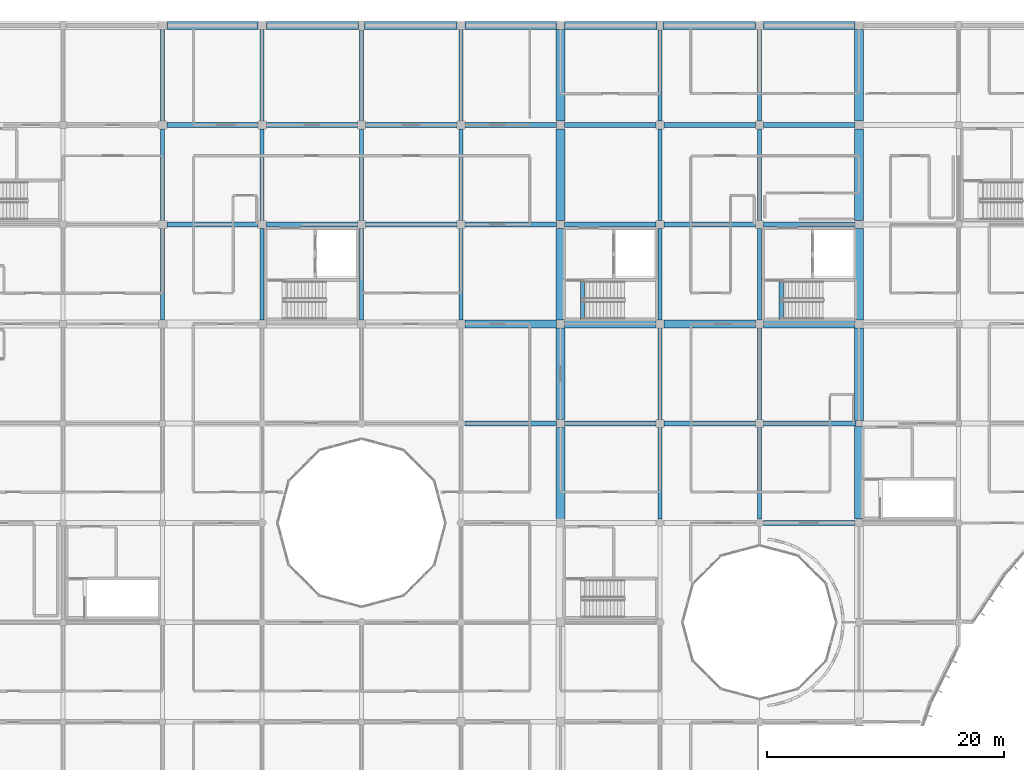
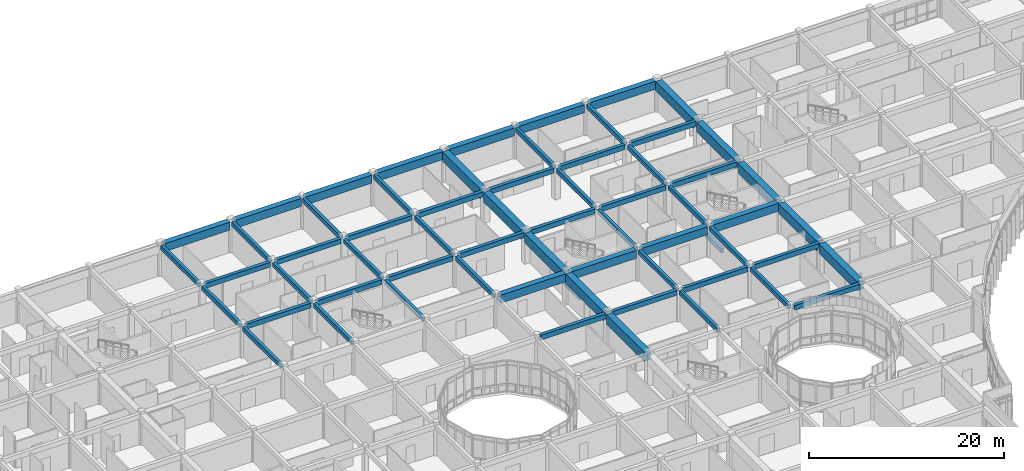
# One storey, part 42 of 119: 64 beams.
"""IFC4 building model written with IfcOpenShell, lengths in metres."""

from ifc_helpers import new_model, si_unit, direction, frame, origin, origin_2d, place, context, subcontext, project, spatial, rectangle, extrude, material, material_profile, profile_set, type_object, element, save


model = new_model("IFC4")

# Units and contexts
model_context = context("Model", 3, precision=1e-05, world=origin(), true_north=direction((0.0, 1.0)))
body_context = subcontext(model_context, "Body", "Model", "MODEL_VIEW")
ifc_project = project(units=[si_unit("LENGTHUNIT", "METRE"), si_unit("AREAUNIT", "SQUARE_METRE"), si_unit("VOLUMEUNIT", "CUBIC_METRE"), si_unit("PLANEANGLEUNIT", "RADIAN"), si_unit("MASSUNIT", "GRAM", prefix="KILO")], contexts=[model_context])

# Site, building, storey
site_placement = place(None, origin())
site = spatial("IfcSite", under=ifc_project, at=site_placement, CompositionType="ELEMENT")
building_placement = place(site_placement, origin())
building = spatial("IfcBuilding", under=site, at=building_placement, Name="Bramfleet General Hospital", CompositionType="ELEMENT")
storey_placement = place(building_placement, frame((0.0, 0.0, 14.39990234375)))
storey = spatial("IfcBuildingStorey", under=building, at=storey_placement, Name="L03", CompositionType="ELEMENT", Elevation=14.39990234375)

# Beams
ifc_material_1 = material(Name="Concrete C35/45", Category="concrete")
ifc_material_profile_1 = material_profile(ifc_material_1, rectangle(XDim=0.35009765625, YDim=0.550048828125, at=origin_2d()), Name="RC BM 550x350")
ifc_profile_set_1 = profile_set([ifc_material_profile_1], Name="Concrete C35/45")
beam_type_1 = type_object("IfcBeamType", Name="BM-RC550", PredefinedType="BEAM", material=ifc_profile_set_1)
beam_1_placement = place(storey_placement, frame((67.199951171875, 92.75, 3.625), z_axis=(0.0, 1.0, 0.0), x_axis=(-1.0, 0.0, 0.0)))
element("IfcBeam", 1, at=beam_1_placement, inside=storey, type_object=beam_type_1, Name="L03 Grid Beam Y 08-11", PredefinedType="BEAM", context=body_context, shape_type="SweptSolid", body=[
    extrude(rectangle(XDim=0.35009765625, YDim=0.550048828125, at=origin_2d()), origin(), (0.0, 0.0, 1.0), 7.699951171875),
])
beam_2_placement = place(storey_placement, frame((67.199951171875, 101.14990234375, 3.625), z_axis=(0.0, 1.0, 0.0), x_axis=(-1.0, 0.0, 0.0)))
element("IfcBeam", 2, at=beam_2_placement, inside=storey, type_object=beam_type_1, Name="L03 Grid Beam Y 08-12", PredefinedType="BEAM", context=body_context, shape_type="SweptSolid", body=[
    extrude(rectangle(XDim=0.35009765625, YDim=0.550048828125, at=origin_2d()), origin(), (0.0, 0.0, 1.0), 7.7001953125),
])
for number, where, z_axis, x_axis, name in (
    (3, (67.199951171875, 109.550048828125, 3.625), (0.0, 1.0, 0.0), (-1.0, 0.0, 0.0), "L03 Grid Beam Y 08-13"),
    (4, (75.60009765625, 92.75, 3.625), (0.0, 1.0, 0.0), (-1.0, 0.0, 0.0), "L03 Grid Beam Y 09-11"),
):
    element("IfcBeam", number, at=place(storey_placement, frame(where, z_axis=z_axis, x_axis=x_axis)), inside=storey, type_object=beam_type_1, Name=name, PredefinedType="BEAM", context=body_context, shape_type="SweptSolid", body=[
        extrude(rectangle(XDim=0.35009765625, YDim=0.550048828125, at=origin_2d()), origin(), (0.0, 0.0, 1.0), 7.699951171875),
    ])
beam_3_placement = place(storey_placement, frame((75.60009765625, 101.14990234375, 3.625), z_axis=(0.0, 1.0, 0.0), x_axis=(-1.0, 0.0, 0.0)))
element("IfcBeam", 5, at=beam_3_placement, inside=storey, type_object=beam_type_1, Name="L03 Grid Beam Y 09-12", PredefinedType="BEAM", context=body_context, shape_type="SweptSolid", body=[
    extrude(rectangle(XDim=0.35009765625, YDim=0.550048828125, at=origin_2d()), origin(), (0.0, 0.0, 1.0), 7.7001953125),
])
for number, where, z_axis, x_axis, name in (
    (6, (75.60009765625, 109.550048828125, 3.625), (0.0, 1.0, 0.0), (-1.0, 0.0, 0.0), "L03 Grid Beam Y 09-13"),
    (7, (84.0, 92.75, 3.625), (0.0, 1.0, 0.0), (-1.0, 0.0, 0.0), "L03 Grid Beam Y 10-11"),
):
    element("IfcBeam", number, at=place(storey_placement, frame(where, z_axis=z_axis, x_axis=x_axis)), inside=storey, type_object=beam_type_1, Name=name, PredefinedType="BEAM", context=body_context, shape_type="SweptSolid", body=[
        extrude(rectangle(XDim=0.35009765625, YDim=0.550048828125, at=origin_2d()), origin(), (0.0, 0.0, 1.0), 7.699951171875),
    ])
beam_4_placement = place(storey_placement, frame((84.0, 101.14990234375, 3.625), z_axis=(0.0, 1.0, 0.0), x_axis=(-1.0, 0.0, 0.0)))
element("IfcBeam", 8, at=beam_4_placement, inside=storey, type_object=beam_type_1, Name="L03 Grid Beam Y 10-12", PredefinedType="BEAM", context=body_context, shape_type="SweptSolid", body=[
    extrude(rectangle(XDim=0.35009765625, YDim=0.550048828125, at=origin_2d()), origin(), (0.0, 0.0, 1.0), 7.7001953125),
])
beam_5_placement = place(storey_placement, frame((84.0, 109.550048828125, 3.625), z_axis=(0.0, 1.0, 0.0), x_axis=(-1.0, 0.0, 0.0)))
element("IfcBeam", 9, at=beam_5_placement, inside=storey, type_object=beam_type_1, Name="L03 Grid Beam Y 10-13", PredefinedType="BEAM", context=body_context, shape_type="SweptSolid", body=[
    extrude(rectangle(XDim=0.35009765625, YDim=0.550048828125, at=origin_2d()), origin(), (0.0, 0.0, 1.0), 7.675048828125),
])
beam_6_placement = place(storey_placement, frame((92.39990234375, 92.75, 3.625), z_axis=(0.0, 1.0, 0.0), x_axis=(-1.0, 0.0, 0.0)))
element("IfcBeam", 10, at=beam_6_placement, inside=storey, type_object=beam_type_1, Name="L03 Grid Beam Y 11-11", PredefinedType="BEAM", context=body_context, shape_type="SweptSolid", body=[
    extrude(rectangle(XDim=0.35009765625, YDim=0.550048828125, at=origin_2d()), origin(), (0.0, 0.0, 1.0), 7.699951171875),
])
beam_7_placement = place(storey_placement, frame((92.39990234375, 101.14990234375, 3.625), z_axis=(0.0, 1.0, 0.0), x_axis=(-1.0, 0.0, 0.0)))
element("IfcBeam", 11, at=beam_7_placement, inside=storey, type_object=beam_type_1, Name="L03 Grid Beam Y 11-12", PredefinedType="BEAM", context=body_context, shape_type="SweptSolid", body=[
    extrude(rectangle(XDim=0.35009765625, YDim=0.550048828125, at=origin_2d()), origin(), (0.0, 0.0, 1.0), 7.7001953125),
])
beam_8_placement = place(storey_placement, frame((92.39990234375, 109.550048828125, 3.625), z_axis=(0.0, 1.0, 0.0), x_axis=(-1.0, 0.0, 0.0)))
element("IfcBeam", 12, at=beam_8_placement, inside=storey, type_object=beam_type_1, Name="L03 Grid Beam Y 11-13", PredefinedType="BEAM", context=body_context, shape_type="SweptSolid", body=[
    extrude(rectangle(XDim=0.35009765625, YDim=0.550048828125, at=origin_2d()), origin(), (0.0, 0.0, 1.0), 7.699951171875),
])
beam_9_placement = place(storey_placement, frame((109.199951171875, 75.925048828125, 3.625), z_axis=(0.0, 1.0, 0.0), x_axis=(-1.0, 0.0, 0.0)))
element("IfcBeam", 13, at=beam_9_placement, inside=storey, type_object=beam_type_1, Name="L03 Grid Beam Y 13-09", PredefinedType="BEAM", context=body_context, shape_type="SweptSolid", body=[
    extrude(rectangle(XDim=0.35009765625, YDim=0.550048828125, at=origin_2d()), origin(), (0.0, 0.0, 1.0), 7.724853515625),
])
for number, where, z_axis, x_axis, name in (
    (14, (109.199951171875, 84.35009765625, 3.625), (0.0, 1.0, 0.0), (-1.0, 0.0, 0.0), "L03 Grid Beam Y 13-10"),
    (15, (109.199951171875, 92.75, 3.625), (0.0, 1.0, 0.0), (-1.0, 0.0, 0.0), "L03 Grid Beam Y 13-11"),
):
    element("IfcBeam", number, at=place(storey_placement, frame(where, z_axis=z_axis, x_axis=x_axis)), inside=storey, type_object=beam_type_1, Name=name, PredefinedType="BEAM", context=body_context, shape_type="SweptSolid", body=[
        extrude(rectangle(XDim=0.35009765625, YDim=0.550048828125, at=origin_2d()), origin(), (0.0, 0.0, 1.0), 7.699951171875),
    ])
beam_10_placement = place(storey_placement, frame((109.199951171875, 101.14990234375, 3.625), z_axis=(0.0, 1.0, 0.0), x_axis=(-1.0, 0.0, 0.0)))
element("IfcBeam", 16, at=beam_10_placement, inside=storey, type_object=beam_type_1, Name="L03 Grid Beam Y 13-12", PredefinedType="BEAM", context=body_context, shape_type="SweptSolid", body=[
    extrude(rectangle(XDim=0.35009765625, YDim=0.550048828125, at=origin_2d()), origin(), (0.0, 0.0, 1.0), 7.7001953125),
])
beam_11_placement = place(storey_placement, frame((109.199951171875, 109.550048828125, 3.625), z_axis=(0.0, 1.0, 0.0), x_axis=(-1.0, 0.0, 0.0)))
element("IfcBeam", 17, at=beam_11_placement, inside=storey, type_object=beam_type_1, Name="L03 Grid Beam Y 13-13", PredefinedType="BEAM", context=body_context, shape_type="SweptSolid", body=[
    extrude(rectangle(XDim=0.35009765625, YDim=0.550048828125, at=origin_2d()), origin(), (0.0, 0.0, 1.0), 7.675048828125),
])
beam_12_placement = place(storey_placement, frame((117.60009765625, 75.925048828125, 3.625), z_axis=(0.0, 1.0, 0.0), x_axis=(-1.0, 0.0, 0.0)))
element("IfcBeam", 18, at=beam_12_placement, inside=storey, type_object=beam_type_1, Name="L03 Grid Beam Y 14-09", PredefinedType="BEAM", context=body_context, shape_type="SweptSolid", body=[
    extrude(rectangle(XDim=0.35009765625, YDim=0.550048828125, at=origin_2d()), origin(), (0.0, 0.0, 1.0), 7.724853515625),
])
for number, where, z_axis, x_axis, name in (
    (19, (117.60009765625, 84.35009765625, 3.625), (0.0, 1.0, 0.0), (-1.0, 0.0, 0.0), "L03 Grid Beam Y 14-10"),
    (20, (117.60009765625, 92.75, 3.625), (0.0, 1.0, 0.0), (-1.0, 0.0, 0.0), "L03 Grid Beam Y 14-11"),
):
    element("IfcBeam", number, at=place(storey_placement, frame(where, z_axis=z_axis, x_axis=x_axis)), inside=storey, type_object=beam_type_1, Name=name, PredefinedType="BEAM", context=body_context, shape_type="SweptSolid", body=[
        extrude(rectangle(XDim=0.35009765625, YDim=0.550048828125, at=origin_2d()), origin(), (0.0, 0.0, 1.0), 7.699951171875),
    ])
beam_13_placement = place(storey_placement, frame((117.60009765625, 101.14990234375, 3.625), z_axis=(0.0, 1.0, 0.0), x_axis=(-1.0, 0.0, 0.0)))
element("IfcBeam", 21, at=beam_13_placement, inside=storey, type_object=beam_type_1, Name="L03 Grid Beam Y 14-12", PredefinedType="BEAM", context=body_context, shape_type="SweptSolid", body=[
    extrude(rectangle(XDim=0.35009765625, YDim=0.550048828125, at=origin_2d()), origin(), (0.0, 0.0, 1.0), 7.7001953125),
])
beam_14_placement = place(storey_placement, frame((117.60009765625, 109.550048828125, 3.625), z_axis=(0.0, 1.0, 0.0), x_axis=(-1.0, 0.0, 0.0)))
element("IfcBeam", 22, at=beam_14_placement, inside=storey, type_object=beam_type_1, Name="L03 Grid Beam Y 14-13", PredefinedType="BEAM", context=body_context, shape_type="SweptSolid", body=[
    extrude(rectangle(XDim=0.35009765625, YDim=0.550048828125, at=origin_2d()), origin(), (0.0, 0.0, 1.0), 7.699951171875),
])
for number, where, z_axis, x_axis, name in (
    (23, (102.639892578125, 92.780029296875, -0.27490234375), (0.0, 1.0, 0.0), (-1.0, 0.0, 0.0), "L03 C4 Stairwell Trimmer Beam"),
    (24, (119.43994140625, 92.780029296875, -0.27490234375), (0.0, 1.0, 0.0), (-1.0, 0.0, 0.0), "L03 C6 Stairwell Trimmer Beam"),
):
    element("IfcBeam", number, at=place(storey_placement, frame(where, z_axis=z_axis, x_axis=x_axis)), inside=storey, type_object=beam_type_1, Name=name, PredefinedType="BEAM", context=body_context, shape_type="SweptSolid", body=[
        extrude(rectangle(XDim=0.35009765625, YDim=0.550048828125, at=origin_2d()), origin(), (0.0, 0.0, 1.0), 3.320068359375),
    ])
ifc_material_profile_2 = material_profile(ifc_material_1, rectangle(XDim=0.39990234375, YDim=0.60009765625, at=origin_2d()), Name="RC BM 600x400")
ifc_profile_set_2 = profile_set([ifc_material_profile_2], Name="Concrete C35/45")
beam_type_2 = type_object("IfcBeamType", Name="BM-RC600", PredefinedType="BEAM", material=ifc_profile_set_2)
for number, where, z_axis, x_axis, name in (
    (25, (67.550048828125, 100.800048828125, 3.60009765625), (1.0, 0.0, 0.0), (0.0, 1.0, 0.0), "L03 Grid Beam X 08-12"),
    (26, (67.550048828125, 109.199951171875, 3.60009765625), (1.0, 0.0, 0.0), (0.0, 1.0, 0.0), "L03 Grid Beam X 08-13"),
    (27, (75.949951171875, 100.800048828125, 3.60009765625), (1.0, 0.0, 0.0), (0.0, 1.0, 0.0), "L03 Grid Beam X 09-12"),
    (28, (75.949951171875, 109.199951171875, 3.60009765625), (1.0, 0.0, 0.0), (0.0, 1.0, 0.0), "L03 Grid Beam X 09-13"),
    (29, (84.35009765625, 100.800048828125, 3.60009765625), (1.0, 0.0, 0.0), (0.0, 1.0, 0.0), "L03 Grid Beam X 10-12"),
    (30, (84.35009765625, 109.199951171875, 3.60009765625), (1.0, 0.0, 0.0), (0.0, 1.0, 0.0), "L03 Grid Beam X 10-13"),
):
    element("IfcBeam", number, at=place(storey_placement, frame(where, z_axis=z_axis, x_axis=x_axis)), inside=storey, type_object=beam_type_2, Name=name, PredefinedType="BEAM", context=body_context, shape_type="SweptSolid", body=[
        extrude(rectangle(XDim=0.39990234375, YDim=0.60009765625, at=origin_2d()), origin(), (0.0, 0.0, 1.0), 7.699951171875),
    ])
beam_15_placement = place(storey_placement, frame((92.72509765625, 84.0, 3.60009765625), z_axis=(1.0, 0.0, 0.0), x_axis=(0.0, 1.0, 0.0)))
element("IfcBeam", 31, at=beam_15_placement, inside=storey, type_object=beam_type_2, Name="L03 Grid Beam X 11-10", PredefinedType="BEAM", context=body_context, shape_type="SweptSolid", body=[
    extrude(rectangle(XDim=0.39990234375, YDim=0.60009765625, at=origin_2d()), origin(), (0.0, 0.0, 1.0), 7.724853515625),
])
for number, where, z_axis, x_axis, name in (
    (32, (92.75, 100.800048828125, 3.60009765625), (1.0, 0.0, 0.0), (0.0, 1.0, 0.0), "L03 Grid Beam X 11-12"),
    (33, (92.75, 109.199951171875, 3.60009765625), (1.0, 0.0, 0.0), (0.0, 1.0, 0.0), "L03 Grid Beam X 11-13"),
):
    element("IfcBeam", number, at=place(storey_placement, frame(where, z_axis=z_axis, x_axis=x_axis)), inside=storey, type_object=beam_type_2, Name=name, PredefinedType="BEAM", context=body_context, shape_type="SweptSolid", body=[
        extrude(rectangle(XDim=0.39990234375, YDim=0.60009765625, at=origin_2d()), origin(), (0.0, 0.0, 1.0), 7.699951171875),
    ])
for number, where, z_axis, x_axis, name in (
    (34, (101.14990234375, 84.0, 3.60009765625), (1.0, 0.0, 0.0), (0.0, 1.0, 0.0), "L03 Grid Beam X 12-10"),
    (35, (101.14990234375, 100.800048828125, 3.60009765625), (1.0, 0.0, 0.0), (0.0, 1.0, 0.0), "L03 Grid Beam X 12-12"),
    (36, (101.14990234375, 109.199951171875, 3.60009765625), (1.0, 0.0, 0.0), (0.0, 1.0, 0.0), "L03 Grid Beam X 12-13"),
):
    element("IfcBeam", number, at=place(storey_placement, frame(where, z_axis=z_axis, x_axis=x_axis)), inside=storey, type_object=beam_type_2, Name=name, PredefinedType="BEAM", context=body_context, shape_type="SweptSolid", body=[
        extrude(rectangle(XDim=0.39990234375, YDim=0.60009765625, at=origin_2d()), origin(), (0.0, 0.0, 1.0), 7.7001953125),
    ])
for number, where, z_axis, x_axis, name in (
    (37, (109.550048828125, 84.0, 3.60009765625), (1.0, 0.0, 0.0), (0.0, 1.0, 0.0), "L03 Grid Beam X 13-10"),
    (38, (109.550048828125, 100.800048828125, 3.60009765625), (1.0, 0.0, 0.0), (0.0, 1.0, 0.0), "L03 Grid Beam X 13-12"),
    (39, (109.550048828125, 109.199951171875, 3.60009765625), (1.0, 0.0, 0.0), (0.0, 1.0, 0.0), "L03 Grid Beam X 13-13"),
):
    element("IfcBeam", number, at=place(storey_placement, frame(where, z_axis=z_axis, x_axis=x_axis)), inside=storey, type_object=beam_type_2, Name=name, PredefinedType="BEAM", context=body_context, shape_type="SweptSolid", body=[
        extrude(rectangle(XDim=0.39990234375, YDim=0.60009765625, at=origin_2d()), origin(), (0.0, 0.0, 1.0), 7.699951171875),
    ])
beam_16_placement = place(storey_placement, frame((117.925048828125, 75.60009765625, 3.60009765625), z_axis=(1.0, 0.0, 0.0), x_axis=(0.0, 1.0, 0.0)))
element("IfcBeam", 40, at=beam_16_placement, inside=storey, type_object=beam_type_2, Name="L03 Grid Beam X 14-09", PredefinedType="BEAM", context=body_context, shape_type="SweptSolid", body=[
    extrude(rectangle(XDim=0.39990234375, YDim=0.60009765625, at=origin_2d()), origin(), (0.0, 0.0, 1.0), 7.75),
])
beam_17_placement = place(storey_placement, frame((117.949951171875, 84.0, 3.60009765625), z_axis=(1.0, 0.0, 0.0), x_axis=(0.0, 1.0, 0.0)))
element("IfcBeam", 41, at=beam_17_placement, inside=storey, type_object=beam_type_2, Name="L03 Grid Beam X 14-10", PredefinedType="BEAM", context=body_context, shape_type="SweptSolid", body=[
    extrude(rectangle(XDim=0.39990234375, YDim=0.60009765625, at=origin_2d()), origin(), (0.0, 0.0, 1.0), 7.800048828125),
])
for number, where, z_axis, x_axis, name in (
    (42, (117.949951171875, 100.800048828125, 3.60009765625), (1.0, 0.0, 0.0), (0.0, 1.0, 0.0), "L03 Grid Beam X 14-12"),
    (43, (117.949951171875, 109.199951171875, 3.60009765625), (1.0, 0.0, 0.0), (0.0, 1.0, 0.0), "L03 Grid Beam X 14-13"),
):
    element("IfcBeam", number, at=place(storey_placement, frame(where, z_axis=z_axis, x_axis=x_axis)), inside=storey, type_object=beam_type_2, Name=name, PredefinedType="BEAM", context=body_context, shape_type="SweptSolid", body=[
        extrude(rectangle(XDim=0.39990234375, YDim=0.60009765625, at=origin_2d()), origin(), (0.0, 0.0, 1.0), 7.699951171875),
    ])
ifc_material_2 = material(Name="Concrete C40/50", Category="concrete")
ifc_material_profile_3 = material_profile(ifc_material_2, rectangle(XDim=0.64990234375, YDim=1.0, at=origin_2d()), Name="RC TG 1000x650")
ifc_profile_set_3 = profile_set([ifc_material_profile_3], Name="Concrete C40/50")
beam_type_3 = type_object("IfcBeamType", Name="BM-TG1000", PredefinedType="BEAM", material=ifc_profile_set_3)
beam_18_placement = place(storey_placement, frame((67.550048828125, 117.60009765625, 3.400146484375), z_axis=(1.0, 0.0, 0.0), x_axis=(0.0, 1.0, 0.0)))
element("IfcBeam", 44, at=beam_18_placement, inside=storey, type_object=beam_type_3, Name="L03 Transfer Girder X 08-14", PredefinedType="BEAM", context=body_context, shape_type="SweptSolid", body=[
    extrude(rectangle(XDim=0.64990234375, YDim=1.0, at=origin_2d()), origin(), (0.0, 0.0, 1.0), 7.699951171875),
])
for number, where, z_axis, x_axis, name in (
    (45, (75.949951171875, 117.60009765625, 3.400146484375), (1.0, 0.0, 0.0), (0.0, 1.0, 0.0), "L03 Transfer Girder X 09-14"),
    (46, (84.25, 117.60009765625, 3.400146484375), (1.0, 0.0, 0.0), (0.0, 1.0, 0.0), "L03 Transfer Girder X 10-14"),
):
    element("IfcBeam", number, at=place(storey_placement, frame(where, z_axis=z_axis, x_axis=x_axis)), inside=storey, type_object=beam_type_3, Name=name, PredefinedType="BEAM", context=body_context, shape_type="SweptSolid", body=[
        extrude(rectangle(XDim=0.64990234375, YDim=1.0, at=origin_2d()), origin(), (0.0, 0.0, 1.0), 7.800048828125),
    ])
for number, where, z_axis, x_axis, name in (
    (47, (92.75, 92.39990234375, 3.400146484375), (1.0, 0.0, 0.0), (0.0, 1.0, 0.0), "L03 Transfer Girder X 11-11"),
    (48, (92.75, 117.60009765625, 3.400146484375), (1.0, 0.0, 0.0), (0.0, 1.0, 0.0), "L03 Transfer Girder X 11-14"),
):
    element("IfcBeam", number, at=place(storey_placement, frame(where, z_axis=z_axis, x_axis=x_axis)), inside=storey, type_object=beam_type_3, Name=name, PredefinedType="BEAM", context=body_context, shape_type="SweptSolid", body=[
        extrude(rectangle(XDim=0.64990234375, YDim=1.0, at=origin_2d()), origin(), (0.0, 0.0, 1.0), 7.699951171875),
    ])
beam_19_placement = place(storey_placement, frame((101.14990234375, 92.39990234375, 3.400146484375), z_axis=(1.0, 0.0, 0.0), x_axis=(0.0, 1.0, 0.0)))
element("IfcBeam", 49, at=beam_19_placement, inside=storey, type_object=beam_type_3, Name="L03 Transfer Girder X 12-11", PredefinedType="BEAM", context=body_context, shape_type="SweptSolid", body=[
    extrude(rectangle(XDim=0.64990234375, YDim=1.0, at=origin_2d()), origin(), (0.0, 0.0, 1.0), 7.7001953125),
])
beam_20_placement = place(storey_placement, frame((101.14990234375, 117.60009765625, 3.400146484375), z_axis=(1.0, 0.0, 0.0), x_axis=(0.0, 1.0, 0.0)))
element("IfcBeam", 50, at=beam_20_placement, inside=storey, type_object=beam_type_3, Name="L03 Transfer Girder X 12-14", PredefinedType="BEAM", context=body_context, shape_type="SweptSolid", body=[
    extrude(rectangle(XDim=0.64990234375, YDim=1.0, at=origin_2d()), origin(), (0.0, 0.0, 1.0), 7.800048828125),
])
beam_21_placement = place(storey_placement, frame((109.550048828125, 92.39990234375, 3.400146484375), z_axis=(1.0, 0.0, 0.0), x_axis=(0.0, 1.0, 0.0)))
element("IfcBeam", 51, at=beam_21_placement, inside=storey, type_object=beam_type_3, Name="L03 Transfer Girder X 13-11", PredefinedType="BEAM", context=body_context, shape_type="SweptSolid", body=[
    extrude(rectangle(XDim=0.64990234375, YDim=1.0, at=origin_2d()), origin(), (0.0, 0.0, 1.0), 7.699951171875),
])
beam_22_placement = place(storey_placement, frame((109.449951171875, 117.60009765625, 3.400146484375), z_axis=(1.0, 0.0, 0.0), x_axis=(0.0, 1.0, 0.0)))
element("IfcBeam", 52, at=beam_22_placement, inside=storey, type_object=beam_type_3, Name="L03 Transfer Girder X 13-14", PredefinedType="BEAM", context=body_context, shape_type="SweptSolid", body=[
    extrude(rectangle(XDim=0.64990234375, YDim=1.0, at=origin_2d()), origin(), (0.0, 0.0, 1.0), 7.800048828125),
])
for number, where, z_axis, x_axis, name in (
    (53, (117.949951171875, 92.39990234375, 3.400146484375), (1.0, 0.0, 0.0), (0.0, 1.0, 0.0), "L03 Transfer Girder X 14-11"),
    (54, (117.949951171875, 117.60009765625, 3.400146484375), (1.0, 0.0, 0.0), (0.0, 1.0, 0.0), "L03 Transfer Girder X 14-14"),
):
    element("IfcBeam", number, at=place(storey_placement, frame(where, z_axis=z_axis, x_axis=x_axis)), inside=storey, type_object=beam_type_3, Name=name, PredefinedType="BEAM", context=body_context, shape_type="SweptSolid", body=[
        extrude(rectangle(XDim=0.64990234375, YDim=1.0, at=origin_2d()), origin(), (0.0, 0.0, 1.0), 7.699951171875),
    ])
ifc_material_profile_4 = material_profile(ifc_material_2, rectangle(XDim=0.75, YDim=1.199951171875, at=origin_2d()), Name="RC TG 1200x750")
ifc_profile_set_4 = profile_set([ifc_material_profile_4], Name="Concrete C40/50")
beam_type_4 = type_object("IfcBeamType", Name="BM-TG1200", PredefinedType="BEAM", material=ifc_profile_set_4)
for number, where, z_axis, x_axis, name in (
    (55, (100.800048828125, 75.949951171875, 3.300048828125), (0.0, 1.0, 0.0), (-1.0, 0.0, 0.0), "L03 Transfer Girder Y 12-09"),
    (56, (100.800048828125, 84.35009765625, 3.300048828125), (0.0, 1.0, 0.0), (-1.0, 0.0, 0.0), "L03 Transfer Girder Y 12-10"),
    (57, (100.800048828125, 92.75, 3.300048828125), (0.0, 1.0, 0.0), (-1.0, 0.0, 0.0), "L03 Transfer Girder Y 12-11"),
):
    element("IfcBeam", number, at=place(storey_placement, frame(where, z_axis=z_axis, x_axis=x_axis)), inside=storey, type_object=beam_type_4, Name=name, PredefinedType="BEAM", context=body_context, shape_type="SweptSolid", body=[
        extrude(rectangle(XDim=0.75, YDim=1.199951171875, at=origin_2d()), origin(), (0.0, 0.0, 1.0), 7.699951171875),
    ])
beam_23_placement = place(storey_placement, frame((100.800048828125, 101.14990234375, 3.300048828125), z_axis=(0.0, 1.0, 0.0), x_axis=(-1.0, 0.0, 0.0)))
element("IfcBeam", 58, at=beam_23_placement, inside=storey, type_object=beam_type_4, Name="L03 Transfer Girder Y 12-12", PredefinedType="BEAM", context=body_context, shape_type="SweptSolid", body=[
    extrude(rectangle(XDim=0.75, YDim=1.199951171875, at=origin_2d()), origin(), (0.0, 0.0, 1.0), 7.7001953125),
])
beam_24_placement = place(storey_placement, frame((100.800048828125, 109.550048828125, 3.300048828125), z_axis=(0.0, 1.0, 0.0), x_axis=(-1.0, 0.0, 0.0)))
element("IfcBeam", 59, at=beam_24_placement, inside=storey, type_object=beam_type_4, Name="L03 Transfer Girder Y 12-13", PredefinedType="BEAM", context=body_context, shape_type="SweptSolid", body=[
    extrude(rectangle(XDim=0.75, YDim=1.199951171875, at=origin_2d()), origin(), (0.0, 0.0, 1.0), 7.699951171875),
])
beam_25_placement = place(storey_placement, frame((126.0, 75.925048828125, 3.300048828125), z_axis=(0.0, 1.0, 0.0), x_axis=(-1.0, 0.0, 0.0)))
element("IfcBeam", 60, at=beam_25_placement, inside=storey, type_object=beam_type_4, Name="L03 Transfer Girder Y 15-09", PredefinedType="BEAM", context=body_context, shape_type="SweptSolid", body=[
    extrude(rectangle(XDim=0.75, YDim=1.199951171875, at=origin_2d()), origin(), (0.0, 0.0, 1.0), 7.824951171875),
])
beam_26_placement = place(storey_placement, frame((126.0, 84.25, 3.300048828125), z_axis=(0.0, 1.0, 0.0), x_axis=(-1.0, 0.0, 0.0)))
element("IfcBeam", 61, at=beam_26_placement, inside=storey, type_object=beam_type_4, Name="L03 Transfer Girder Y 15-10", PredefinedType="BEAM", context=body_context, shape_type="SweptSolid", body=[
    extrude(rectangle(XDim=0.75, YDim=1.199951171875, at=origin_2d()), origin(), (0.0, 0.0, 1.0), 7.800048828125),
])
beam_27_placement = place(storey_placement, frame((126.0, 92.75, 3.300048828125), z_axis=(0.0, 1.0, 0.0), x_axis=(-1.0, 0.0, 0.0)))
element("IfcBeam", 62, at=beam_27_placement, inside=storey, type_object=beam_type_4, Name="L03 Transfer Girder Y 15-11", PredefinedType="BEAM", context=body_context, shape_type="SweptSolid", body=[
    extrude(rectangle(XDim=0.75, YDim=1.199951171875, at=origin_2d()), origin(), (0.0, 0.0, 1.0), 7.699951171875),
])
beam_28_placement = place(storey_placement, frame((126.0, 101.14990234375, 3.300048828125), z_axis=(0.0, 1.0, 0.0), x_axis=(-1.0, 0.0, 0.0)))
element("IfcBeam", 63, at=beam_28_placement, inside=storey, type_object=beam_type_4, Name="L03 Transfer Girder Y 15-12", PredefinedType="BEAM", context=body_context, shape_type="SweptSolid", body=[
    extrude(rectangle(XDim=0.75, YDim=1.199951171875, at=origin_2d()), origin(), (0.0, 0.0, 1.0), 7.7001953125),
])
beam_29_placement = place(storey_placement, frame((126.0, 109.550048828125, 3.300048828125), z_axis=(0.0, 1.0, 0.0), x_axis=(-1.0, 0.0, 0.0)))
element("IfcBeam", 64, at=beam_29_placement, inside=storey, type_object=beam_type_4, Name="L03 Transfer Girder Y 15-13", PredefinedType="BEAM", context=body_context, shape_type="SweptSolid", body=[
    extrude(rectangle(XDim=0.75, YDim=1.199951171875, at=origin_2d()), origin(), (0.0, 0.0, 1.0), 7.699951171875),
])

save(model, "model.ifc")
